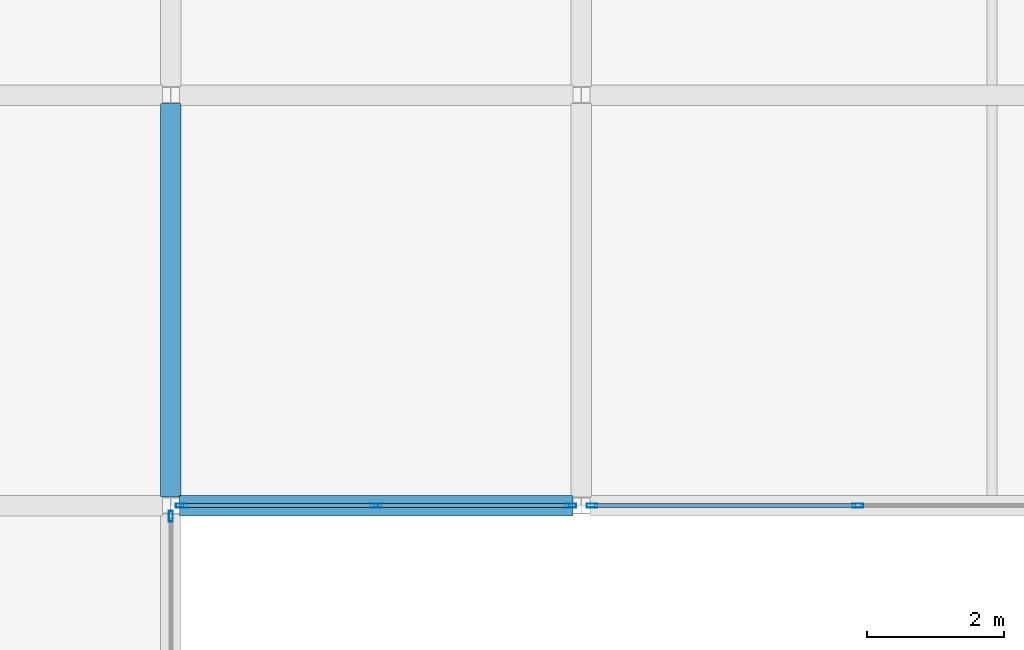
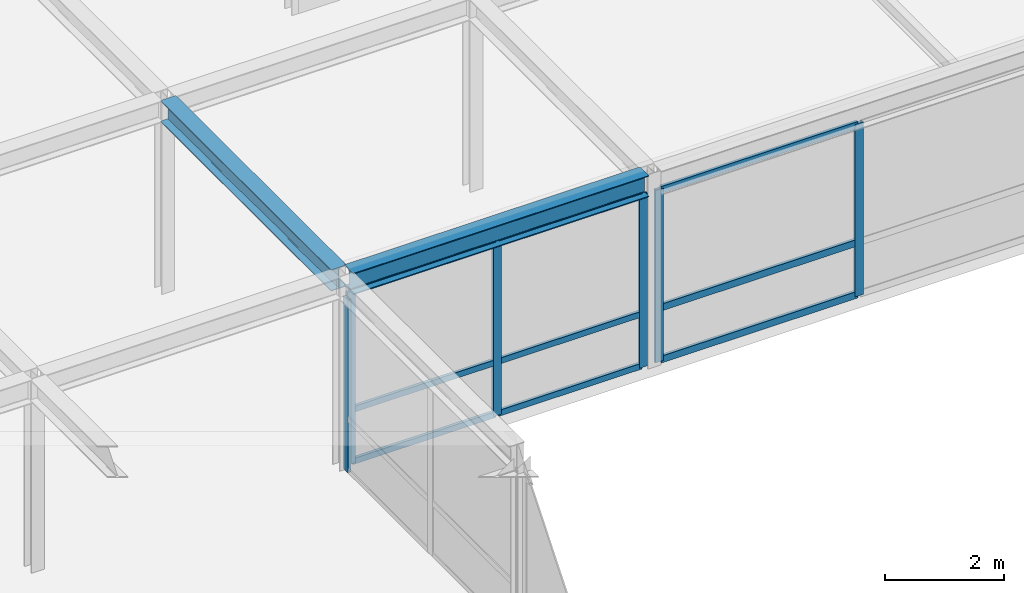
# One storey, part 71 of 111: 15 members, 2 beams, 3 elements without a shape of their own.
"""IFC4 building model written with IfcOpenShell, lengths in metres."""

from ifc_helpers import new_model, si_unit, direction, frame, origin, origin_2d, place, context, subcontext, project, spatial, hollow_rectangle, i_section, extrude, material, layer, layer_set, material_profile, profile_set, type_object, element, aggregate, save


model = new_model("IFC4")

# Units and contexts
model_context = context("Model", 3, precision=1e-05, world=origin(), true_north=direction((0.0, 1.0)))
body_context = subcontext(model_context, "Body", "Model", "MODEL_VIEW")
ifc_project = project(units=[si_unit("LENGTHUNIT", "METRE"), si_unit("AREAUNIT", "SQUARE_METRE"), si_unit("VOLUMEUNIT", "CUBIC_METRE"), si_unit("PLANEANGLEUNIT", "RADIAN"), si_unit("MASSUNIT", "GRAM", prefix="KILO")], contexts=[model_context])

# Site, building, storey
site_placement = place(None, origin())
site = spatial("IfcSite", under=ifc_project, at=site_placement, CompositionType="ELEMENT")
building_placement = place(site_placement, origin())
building = spatial("IfcBuilding", under=site, at=building_placement, Name="Zlatovratsky Civic Hall", CompositionType="ELEMENT")
storey_placement = place(building_placement, frame((0.0, 0.0, 16.5)))
storey = spatial("IfcBuildingStorey", under=building, at=storey_placement, Name="L04", CompositionType="ELEMENT", Elevation=16.5)

# Beams
ifc_material_1 = material(Name="Steel S355", Category="steel")
ifc_material_profile_1 = material_profile(ifc_material_1, i_section(OverallWidth=0.300048828125, OverallDepth=0.43994140625, WebThickness=0.010986328125, FlangeThickness=0.01806640625, FilletRadius=0.02197265625, at=origin_2d()), Name="45Sh1")
ifc_profile_set_1 = profile_set([ifc_material_profile_1], Name="Steel S355")
beam_type = type_object("IfcBeamType", Name="Beam_TowerLow_45Sh1", PredefinedType="BEAM", material=ifc_profile_set_1)
for number, where, z_axis, x_axis, name in (
    (1, (18.125, 66.0, 3.780029296875), (1.0, 0.0, 0.0), (0.0, 1.0, 0.0), "BM-3332"),
    (2, (18.0, 66.125, 3.780029296875), (0.0, 1.0, 0.0), (-1.0, 0.0, 0.0), "BM-3555"),
):
    element("IfcBeam", number, at=place(storey_placement, frame(where, z_axis=z_axis, x_axis=x_axis)), inside=storey, type_object=beam_type, Name=name, PredefinedType="BEAM", context=body_context, shape_type="SweptSolid", body=[
        extrude(i_section(OverallWidth=0.300048828125, OverallDepth=0.43994140625, WebThickness=0.010986328125, FlangeThickness=0.01806640625, FilletRadius=0.02197265625, at=origin_2d()), origin(), (0.0, 0.0, 1.0), 5.75),
    ])

# Curtain wall, members
ifc_material_2 = material(Name="Anodised bronze aluminium", Category="aluminium")
ifc_layer_1 = layer(ifc_material_2, 0.159912109375)
ifc_layer_set_1 = layer_set([ifc_layer_1], Name="Anodised bronze aluminium")
curtain_wall_type_1 = type_object("IfcCurtainWallType", Name="CurtainWall_Bronze_5750x3550_18", PredefinedType="NOTDEFINED", material=ifc_layer_set_1)
curtain_wall_1_placement = place(storey_placement, origin())
curtain_wall_1 = element("IfcCurtainWall", 3, at=curtain_wall_1_placement, inside=storey, type_object=curtain_wall_type_1, Name="CW-096", PredefinedType="NOTDEFINED")
ifc_material_profile_2 = material_profile(ifc_material_2, hollow_rectangle(XDim=0.06005859375, YDim=0.159912109375, WallThickness=0.00390625, at=origin_2d()), Name="ALU 60x160x4")
ifc_profile_set_2 = profile_set([ifc_material_profile_2], Name="Anodised bronze aluminium")
member_type_1 = type_object("IfcMemberType", Name="CW_Mullion_60x160", PredefinedType="MULLION", material=ifc_profile_set_2)
member_1_placement = place(storey_placement, frame((18.155029296875, 66.0, 0.0), z_axis=(0.0, 0.0, 1.0), x_axis=(0.0, 1.0, 0.0)))
member_1 = element("IfcMember", 4, at=member_1_placement, type_object=member_type_1, Name="CW-18 mullion 1", PredefinedType="MULLION", context=body_context, shape_type="SweptSolid", body=[
    extrude(hollow_rectangle(XDim=0.06005859375, YDim=0.159912109375, WallThickness=0.00390625, at=origin_2d()), origin(), (0.0, 0.0, 1.0), 3.550048828125),
])
member_2_placement = place(storey_placement, frame((21.0, 66.0, 0.0), z_axis=(0.0, 0.0, 1.0), x_axis=(0.0, 1.0, 0.0)))
member_2 = element("IfcMember", 5, at=member_2_placement, type_object=member_type_1, Name="CW-18 mullion 2", PredefinedType="MULLION", context=body_context, shape_type="SweptSolid", body=[
    extrude(hollow_rectangle(XDim=0.06005859375, YDim=0.159912109375, WallThickness=0.00390625, at=origin_2d()), origin(), (0.0, 0.0, 1.0), 3.550048828125),
])
member_3_placement = place(storey_placement, frame((23.844970703125, 66.0, 0.0), z_axis=(0.0, 0.0, 1.0), x_axis=(0.0, 1.0, 0.0)))
member_3 = element("IfcMember", 6, at=member_3_placement, type_object=member_type_1, Name="CW-18 mullion 3", PredefinedType="MULLION", context=body_context, shape_type="SweptSolid", body=[
    extrude(hollow_rectangle(XDim=0.06005859375, YDim=0.159912109375, WallThickness=0.00390625, at=origin_2d()), origin(), (0.0, 0.0, 1.0), 3.550048828125),
])

ifc_layer_2 = layer(ifc_material_2, 0.159912109375)
ifc_layer_set_2 = layer_set([ifc_layer_2], Name="Anodised bronze aluminium")
curtain_wall_type_2 = type_object("IfcCurtainWallType", Name="CurtainWall_Bronze_11750x3550_17", PredefinedType="NOTDEFINED", material=ifc_layer_set_2)
curtain_wall_2_placement = place(storey_placement, origin())
curtain_wall_2 = element("IfcCurtainWall", 7, at=curtain_wall_2_placement, inside=storey, type_object=curtain_wall_type_2, Name="CW-097", PredefinedType="NOTDEFINED")
member_4_placement = place(storey_placement, frame((24.155029296875, 66.0, 0.0), z_axis=(0.0, 0.0, 1.0), x_axis=(0.0, 1.0, 0.0)))
member_4 = element("IfcMember", 8, at=member_4_placement, type_object=member_type_1, Name="CW-17 mullion 1", PredefinedType="MULLION", context=body_context, shape_type="SweptSolid", body=[
    extrude(hollow_rectangle(XDim=0.06005859375, YDim=0.159912109375, WallThickness=0.00390625, at=origin_2d()), origin(), (0.0, 0.0, 1.0), 3.550048828125),
])
member_5_placement = place(storey_placement, frame((28.041748046875, 66.0, 0.0), z_axis=(0.0, 0.0, 1.0), x_axis=(0.0, 1.0, 0.0)))
member_5 = element("IfcMember", 9, at=member_5_placement, type_object=member_type_1, Name="CW-17 mullion 2", PredefinedType="MULLION", context=body_context, shape_type="SweptSolid", body=[
    extrude(hollow_rectangle(XDim=0.06005859375, YDim=0.159912109375, WallThickness=0.00390625, at=origin_2d()), origin(), (0.0, 0.0, 1.0), 3.550048828125),
])

# Curtain wall, member
curtain_wall_3_placement = place(storey_placement, origin())
curtain_wall_3 = element("IfcCurtainWall", 10, at=curtain_wall_3_placement, inside=storey, type_object=curtain_wall_type_1, Name="CW-104", PredefinedType="NOTDEFINED")
member_6_placement = place(storey_placement, frame((18.0, 65.844970703125, 0.0), z_axis=(0.0, 0.0, 1.0), x_axis=(-1.0, 0.0, 0.0)))
member_6 = element("IfcMember", 11, at=member_6_placement, type_object=member_type_1, Name="CW-18 mullion 3", PredefinedType="MULLION", context=body_context, shape_type="SweptSolid", body=[
    extrude(hollow_rectangle(XDim=0.06005859375, YDim=0.159912109375, WallThickness=0.00390625, at=origin_2d()), origin(), (0.0, 0.0, 1.0), 3.550048828125),
])
aggregate(curtain_wall_3, [member_6])

# Member
ifc_material_profile_3 = material_profile(ifc_material_2, hollow_rectangle(XDim=0.06005859375, YDim=0.1201171875, WallThickness=0.00390625, at=origin_2d()), Name="ALU 60x120x4")
ifc_profile_set_3 = profile_set([ifc_material_profile_3], Name="Anodised bronze aluminium")
member_type_2 = type_object("IfcMemberType", Name="CW_Transom_60x120", PredefinedType="USERDEFINED", material=ifc_profile_set_3)
member_7_placement = place(storey_placement, frame((18.18505859375, 66.0, 0.030029296875), z_axis=(1.0, 0.0, 0.0), x_axis=(0.0, 1.0, 0.0)))
member_7 = element("IfcMember", 12, at=member_7_placement, type_object=member_type_2, Name="CW-18 transom 1.1", ObjectType="TRANSOM", PredefinedType="USERDEFINED", context=body_context, shape_type="SweptSolid", body=[
    extrude(hollow_rectangle(XDim=0.06005859375, YDim=0.1201171875, WallThickness=0.00390625, at=origin_2d()), origin(), (0.0, 0.0, 1.0), 2.784912109375),
])

member_8_placement = place(storey_placement, frame((18.18505859375, 66.0, 1.10009765625), z_axis=(1.0, 0.0, 0.0), x_axis=(0.0, 1.0, 0.0)))
member_8 = element("IfcMember", 13, at=member_8_placement, type_object=member_type_2, Name="CW-18 transom 1.2", ObjectType="TRANSOM", PredefinedType="USERDEFINED", context=body_context, shape_type="SweptSolid", body=[
    extrude(hollow_rectangle(XDim=0.06005859375, YDim=0.1201171875, WallThickness=0.00390625, at=origin_2d()), origin(), (0.0, 0.0, 1.0), 2.784912109375),
])

member_9_placement = place(storey_placement, frame((18.18505859375, 66.0, 3.52001953125), z_axis=(1.0, 0.0, 0.0), x_axis=(0.0, 1.0, 0.0)))
member_9 = element("IfcMember", 14, at=member_9_placement, type_object=member_type_2, Name="CW-18 transom 1.3", ObjectType="TRANSOM", PredefinedType="USERDEFINED", context=body_context, shape_type="SweptSolid", body=[
    extrude(hollow_rectangle(XDim=0.06005859375, YDim=0.1201171875, WallThickness=0.00390625, at=origin_2d()), origin(), (0.0, 0.0, 1.0), 2.784912109375),
])

member_10_placement = place(storey_placement, frame((21.030029296875, 66.0, 0.030029296875), z_axis=(1.0, 0.0, 0.0), x_axis=(0.0, 1.0, 0.0)))
member_10 = element("IfcMember", 15, at=member_10_placement, type_object=member_type_2, Name="CW-18 transom 2.1", ObjectType="TRANSOM", PredefinedType="USERDEFINED", context=body_context, shape_type="SweptSolid", body=[
    extrude(hollow_rectangle(XDim=0.06005859375, YDim=0.1201171875, WallThickness=0.00390625, at=origin_2d()), origin(), (0.0, 0.0, 1.0), 2.784912109375),
])

member_11_placement = place(storey_placement, frame((21.030029296875, 66.0, 1.10009765625), z_axis=(1.0, 0.0, 0.0), x_axis=(0.0, 1.0, 0.0)))
member_11 = element("IfcMember", 16, at=member_11_placement, type_object=member_type_2, Name="CW-18 transom 2.2", ObjectType="TRANSOM", PredefinedType="USERDEFINED", context=body_context, shape_type="SweptSolid", body=[
    extrude(hollow_rectangle(XDim=0.06005859375, YDim=0.1201171875, WallThickness=0.00390625, at=origin_2d()), origin(), (0.0, 0.0, 1.0), 2.784912109375),
])

member_12_placement = place(storey_placement, frame((21.030029296875, 66.0, 3.52001953125), z_axis=(1.0, 0.0, 0.0), x_axis=(0.0, 1.0, 0.0)))
member_12 = element("IfcMember", 17, at=member_12_placement, type_object=member_type_2, Name="CW-18 transom 2.3", ObjectType="TRANSOM", PredefinedType="USERDEFINED", context=body_context, shape_type="SweptSolid", body=[
    extrude(hollow_rectangle(XDim=0.06005859375, YDim=0.1201171875, WallThickness=0.00390625, at=origin_2d()), origin(), (0.0, 0.0, 1.0), 2.784912109375),
])

aggregate(curtain_wall_1, [member_1, member_2, member_3, member_7, member_8, member_9, member_10, member_11, member_12])

ifc_material_profile_4 = material_profile(ifc_material_2, hollow_rectangle(XDim=0.06005859375, YDim=0.139892578125, WallThickness=0.00390625, at=origin_2d()), Name="ALU 60x140x4")
ifc_profile_set_4 = profile_set([ifc_material_profile_4], Name="Anodised bronze aluminium")
member_type_3 = type_object("IfcMemberType", Name="CW_Transom_60x140", PredefinedType="USERDEFINED", material=ifc_profile_set_4)
member_13_placement = place(storey_placement, frame((24.18505859375, 66.0, 0.030029296875), z_axis=(1.0, 0.0, 0.0), x_axis=(0.0, 1.0, 0.0)))
member_13 = element("IfcMember", 18, at=member_13_placement, type_object=member_type_3, Name="CW-17 transom 1.1", ObjectType="TRANSOM", PredefinedType="USERDEFINED", context=body_context, shape_type="SweptSolid", body=[
    extrude(hollow_rectangle(XDim=0.06005859375, YDim=0.139892578125, WallThickness=0.00390625, at=origin_2d()), origin(), (0.0, 0.0, 1.0), 3.82666015625),
])

member_14_placement = place(storey_placement, frame((24.18505859375, 66.0, 1.10009765625), z_axis=(1.0, 0.0, 0.0), x_axis=(0.0, 1.0, 0.0)))
member_14 = element("IfcMember", 19, at=member_14_placement, type_object=member_type_3, Name="CW-17 transom 1.2", ObjectType="TRANSOM", PredefinedType="USERDEFINED", context=body_context, shape_type="SweptSolid", body=[
    extrude(hollow_rectangle(XDim=0.06005859375, YDim=0.139892578125, WallThickness=0.00390625, at=origin_2d()), origin(), (0.0, 0.0, 1.0), 3.82666015625),
])

member_15_placement = place(storey_placement, frame((24.18505859375, 66.0, 3.52001953125), z_axis=(1.0, 0.0, 0.0), x_axis=(0.0, 1.0, 0.0)))
member_15 = element("IfcMember", 20, at=member_15_placement, type_object=member_type_3, Name="CW-17 transom 1.3", ObjectType="TRANSOM", PredefinedType="USERDEFINED", context=body_context, shape_type="SweptSolid", body=[
    extrude(hollow_rectangle(XDim=0.06005859375, YDim=0.139892578125, WallThickness=0.00390625, at=origin_2d()), origin(), (0.0, 0.0, 1.0), 3.82666015625),
])

aggregate(curtain_wall_2, [member_4, member_5, member_13, member_14, member_15])

save(model, "model.ifc")
